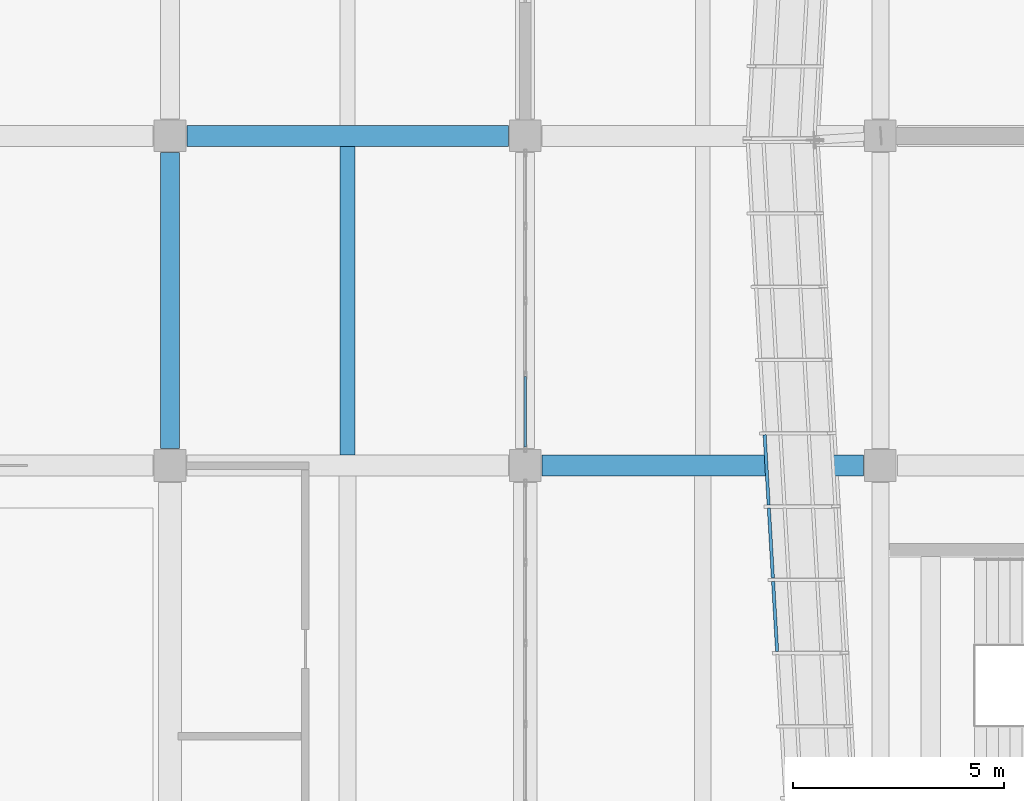
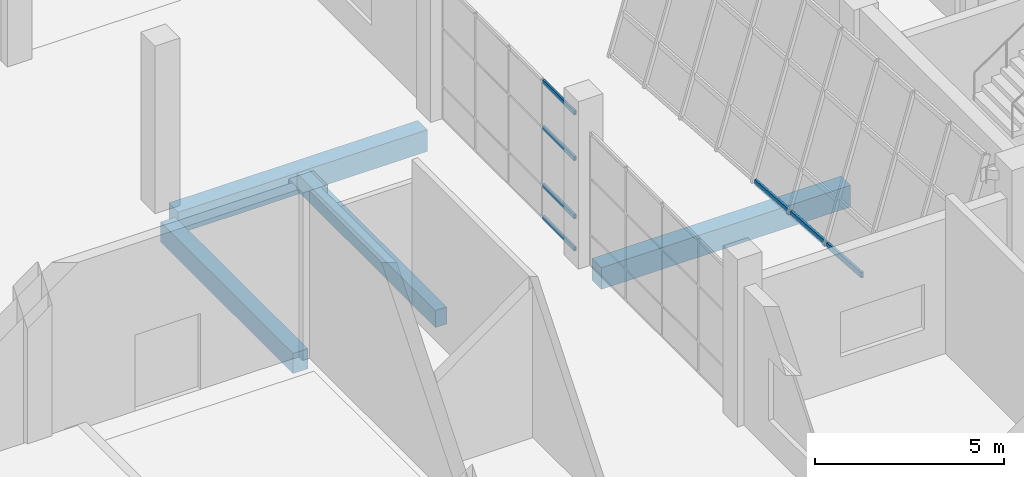
# One storey, part 19 of 78: 7 members, 4 beams, 2 elements without a shape of their own.
"""IFC4 building model written with IfcOpenShell, lengths in metres."""

from ifc_helpers import new_model, si_unit, direction, frame, origin, origin_2d, place, context, subcontext, project, spatial, rectangle, hollow_rectangle, extrude, material, material_profile, profile_set, type_object, element, aggregate, save


model = new_model("IFC4")

# Units and contexts
model_context = context("Model", 3, precision=1e-05, world=origin(), true_north=direction((0.0, 1.0)))
body_context = subcontext(model_context, "Body", "Model", "MODEL_VIEW")
ifc_project = project(units=[si_unit("LENGTHUNIT", "METRE"), si_unit("AREAUNIT", "SQUARE_METRE"), si_unit("VOLUMEUNIT", "CUBIC_METRE"), si_unit("PLANEANGLEUNIT", "RADIAN"), si_unit("MASSUNIT", "GRAM", prefix="KILO")], contexts=[model_context])

# Site, building, storey
site_placement = place(None, origin())
site = spatial("IfcSite", under=ifc_project, at=site_placement, CompositionType="ELEMENT")
building_placement = place(site_placement, origin())
building = spatial("IfcBuilding", under=site, at=building_placement, Name="Pellamere Symphony Hall", CompositionType="ELEMENT")
storey_placement = place(building_placement, origin())
storey = spatial("IfcBuildingStorey", under=building, at=storey_placement, Name="L00", CompositionType="ELEMENT", Elevation=0.0)

# Curtain wall, members
ifc_material_1 = material(Name="Thermally Broken Anodised Aluminium 6063-T6 Curtain Wall", Category="aluminium")
curtain_wall_type_1 = type_object("IfcCurtainWallType", Name="Curtain Wall CW-01 (Tilted Faceted Crystal Low-Iron Curtain Wall)", PredefinedType="NOTDEFINED", material=ifc_material_1)
curtain_wall_1_placement = place(storey_placement, origin())
curtain_wall_1 = element("IfcCurtainWall", 1, at=curtain_wall_1_placement, inside=storey, type_object=curtain_wall_type_1, Name="Crystal Faceted Curtain Wall CW-CR18 (L00)", PredefinedType="NOTDEFINED")
ifc_material_2 = material(Name="Anodised Architectural Aluminium 6063-T6", Category="aluminium")
ifc_material_profile_1 = material_profile(ifc_material_2, hollow_rectangle(XDim=0.074951171875, YDim=0.179931640625, WallThickness=0.0048828125, at=origin_2d()), Name="ALU-T75X180X5")
ifc_profile_set_1 = profile_set([ifc_material_profile_1], Name="Anodised Architectural Aluminium 6063-T6")
member_type_1 = type_object("IfcMemberType", Name="Curtain Wall Transom TR-01 ALU-T75X180X5", PredefinedType="USERDEFINED", material=ifc_profile_set_1)
member_1_placement = place(storey_placement, frame((47.663330078125, 39.129150390625, 0.035888671875), z_axis=(0.057464139598, -0.998347571069, 0.0), x_axis=(0.998347571069, 0.057464139598, 0.0)))
member_1 = element("IfcMember", 2, at=member_1_placement, type_object=member_type_1, Name="CW1-052 crystal transom 5.1", ObjectType="TRANSOM", PredefinedType="USERDEFINED", context=body_context, shape_type="SweptSolid", body=[
    extrude(hollow_rectangle(XDim=0.074951171875, YDim=0.179931640625, WallThickness=0.0048828125, at=origin_2d()), origin(), (0.0, 0.0, 1.0), 1.6611328125),
])
member_2_placement = place(storey_placement, frame((47.76318359375, 37.39599609375, 0.035888671875), z_axis=(0.057610619545, -0.998339129012, 0.0), x_axis=(0.998339129012, 0.057610619545, 0.0)))
member_2 = element("IfcMember", 3, at=member_2_placement, type_object=member_type_1, Name="CW1-052 crystal transom 6.1", ObjectType="TRANSOM", PredefinedType="USERDEFINED", context=body_context, shape_type="SweptSolid", body=[
    extrude(hollow_rectangle(XDim=0.074951171875, YDim=0.179931640625, WallThickness=0.0048828125, at=origin_2d()), origin(), (0.0, 0.0, 1.0), 1.6611328125),
])
member_3_placement = place(storey_placement, frame((47.86328125, 35.66259765625, 0.035888671875), z_axis=(0.057610619545, -0.998339129012, 0.0), x_axis=(0.998339129012, 0.057610619545, 0.0)))
member_3 = element("IfcMember", 4, at=member_3_placement, type_object=member_type_1, Name="CW1-052 crystal transom 7.1", ObjectType="TRANSOM", PredefinedType="USERDEFINED", context=body_context, shape_type="SweptSolid", body=[
    extrude(hollow_rectangle(XDim=0.074951171875, YDim=0.179931640625, WallThickness=0.0048828125, at=origin_2d()), origin(), (0.0, 0.0, 1.0), 1.6611328125),
])
aggregate(curtain_wall_1, [member_1, member_2, member_3])

curtain_wall_type_2 = type_object("IfcCurtainWallType", Name="Curtain Wall CW-04 (Chamber Music Lobby Curtain Wall)", PredefinedType="NOTDEFINED", material=ifc_material_1)
curtain_wall_2_placement = place(storey_placement, origin())
curtain_wall_2 = element("IfcCurtainWall", 5, at=curtain_wall_2_placement, inside=storey, type_object=curtain_wall_type_2, Name="Chamber Forecourt East Curtain Wall (L00 Bay 3)", PredefinedType="NOTDEFINED")
ifc_material_profile_2 = material_profile(ifc_material_2, hollow_rectangle(XDim=0.06494140625, YDim=0.139892578125, WallThickness=0.00390625, at=origin_2d()), Name="ALU-T65X140X4")
ifc_profile_set_2 = profile_set([ifc_material_profile_2], Name="Anodised Architectural Aluminium 6063-T6")
member_type_2 = type_object("IfcMemberType", Name="Curtain Wall Transom TR-02 ALU-T65X140X4", PredefinedType="USERDEFINED", material=ifc_profile_set_2)
member_4_placement = place(storey_placement, frame((42.0, 38.840087890625, 0.032470703125), z_axis=(0.0, 1.0, 0.0), x_axis=(-1.0, 0.0, 0.0)))
member_4 = element("IfcMember", 6, at=member_4_placement, type_object=member_type_2, Name="CW4E-111 crystal transom 1.1", ObjectType="TRANSOM", PredefinedType="USERDEFINED", context=body_context, shape_type="SweptSolid", body=[
    extrude(hollow_rectangle(XDim=0.06494140625, YDim=0.139892578125, WallThickness=0.00390625, at=origin_2d()), origin(), (0.0, 0.0, 1.0), 1.664794921875),
])
member_5_placement = place(storey_placement, frame((42.0, 38.840087890625, 1.068115234375), z_axis=(0.0, 1.0, 0.0), x_axis=(-1.0, 0.0, 0.0)))
member_5 = element("IfcMember", 7, at=member_5_placement, type_object=member_type_2, Name="CW4E-111 crystal transom 1.2", ObjectType="TRANSOM", PredefinedType="USERDEFINED", context=body_context, shape_type="SweptSolid", body=[
    extrude(hollow_rectangle(XDim=0.06494140625, YDim=0.139892578125, WallThickness=0.00390625, at=origin_2d()), origin(), (0.0, 0.0, 1.0), 1.664794921875),
])
member_6_placement = place(storey_placement, frame((42.0, 38.840087890625, 2.93701171875), z_axis=(0.0, 1.0, 0.0), x_axis=(-1.0, 0.0, 0.0)))
member_6 = element("IfcMember", 8, at=member_6_placement, type_object=member_type_2, Name="CW4E-111 crystal transom 1.3", ObjectType="TRANSOM", PredefinedType="USERDEFINED", context=body_context, shape_type="SweptSolid", body=[
    extrude(hollow_rectangle(XDim=0.06494140625, YDim=0.139892578125, WallThickness=0.00390625, at=origin_2d()), origin(), (0.0, 0.0, 1.0), 1.664794921875),
])
member_7_placement = place(storey_placement, frame((42.0, 38.840087890625, 4.41748046875), z_axis=(0.0, 1.0, 0.0), x_axis=(-1.0, 0.0, 0.0)))
member_7 = element("IfcMember", 9, at=member_7_placement, type_object=member_type_2, Name="CW4E-111 crystal transom 1.4", ObjectType="TRANSOM", PredefinedType="USERDEFINED", context=body_context, shape_type="SweptSolid", body=[
    extrude(hollow_rectangle(XDim=0.06494140625, YDim=0.139892578125, WallThickness=0.00390625, at=origin_2d()), origin(), (0.0, 0.0, 1.0), 1.664794921875),
])
aggregate(curtain_wall_2, [member_4, member_5, member_6, member_7])

# Beams
ifc_material_3 = material(Name="Concrete 40 MPa", Category="concrete")
ifc_material_profile_3 = material_profile(ifc_material_3, rectangle(XDim=0.5, YDim=0.699951171875, at=origin_2d()), Name="RC 500x700")
ifc_profile_set_3 = profile_set([ifc_material_profile_3], Name="Concrete 40 MPa")
beam_type_1 = type_object("IfcBeamType", Name="RC CB-07 500x700", PredefinedType="BEAM", material=ifc_profile_set_3)
for number, where, z_axis, x_axis, name in (
    (10, (42.39990234375, 38.39990234375, -0.64990234375), (1.0, 0.0, 0.0), (0.0, 1.0, 0.0), "Girder CB-07-X0073 (L00)"),
    (11, (34.0, 46.199951171875, -0.64990234375), (1.0, 0.0, 0.0), (0.0, 1.0, 0.0), "Girder CB-07-X0093 (L00)"),
):
    element("IfcBeam", number, at=place(storey_placement, frame(where, z_axis=z_axis, x_axis=x_axis)), inside=storey, type_object=beam_type_1, Name=name, PredefinedType="BEAM", context=body_context, shape_type="SweptSolid", body=[
        extrude(rectangle(XDim=0.5, YDim=0.699951171875, at=origin_2d()), origin(), (0.0, 0.0, 1.0), 7.60009765625),
    ])
ifc_material_profile_4 = material_profile(ifc_material_3, rectangle(XDim=0.449951171875, YDim=0.64990234375, at=origin_2d()), Name="RC 450x650")
ifc_profile_set_4 = profile_set([ifc_material_profile_4], Name="Concrete 40 MPa")
beam_type_2 = type_object("IfcBeamType", Name="RC CB-08 450x650", PredefinedType="BEAM", material=ifc_profile_set_4)
beam_1_placement = place(storey_placement, frame((33.60009765625, 38.800048828125, -0.625), z_axis=(0.0, 1.0, 0.0), x_axis=(-1.0, 0.0, 0.0)))
element("IfcBeam", 12, at=beam_1_placement, inside=storey, type_object=beam_type_2, Name="Girder CB-08-Y0224 (L00)", PredefinedType="BEAM", context=body_context, shape_type="SweptSolid", body=[
    extrude(rectangle(XDim=0.449951171875, YDim=0.64990234375, at=origin_2d()), origin(), (0.0, 0.0, 1.0), 7.0),
])
ifc_material_4 = material(Name="Concrete 35 MPa", Category="concrete")
ifc_material_profile_5 = material_profile(ifc_material_4, rectangle(XDim=0.35009765625, YDim=0.550048828125, at=origin_2d()), Name="RC 350x550")
ifc_profile_set_5 = profile_set([ifc_material_profile_5], Name="Concrete 35 MPa")
beam_type_3 = type_object("IfcBeamType", Name="RC CB-10 350x550", PredefinedType="BEAM", material=ifc_profile_set_5)
beam_2_placement = place(storey_placement, frame((37.800048828125, 38.64990234375, -0.590087890625), z_axis=(0.0, 1.0, 0.0), x_axis=(-1.0, 0.0, 0.0)))
element("IfcBeam", 13, at=beam_2_placement, inside=storey, type_object=beam_type_3, Name="Secondary Floor Beam CB-10-M0405 (L00)", PredefinedType="BEAM", context=body_context, shape_type="SweptSolid", body=[
    extrude(rectangle(XDim=0.35009765625, YDim=0.550048828125, at=origin_2d()), origin(), (0.0, 0.0, 1.0), 7.300048828125),
])

save(model, "model.ifc")
